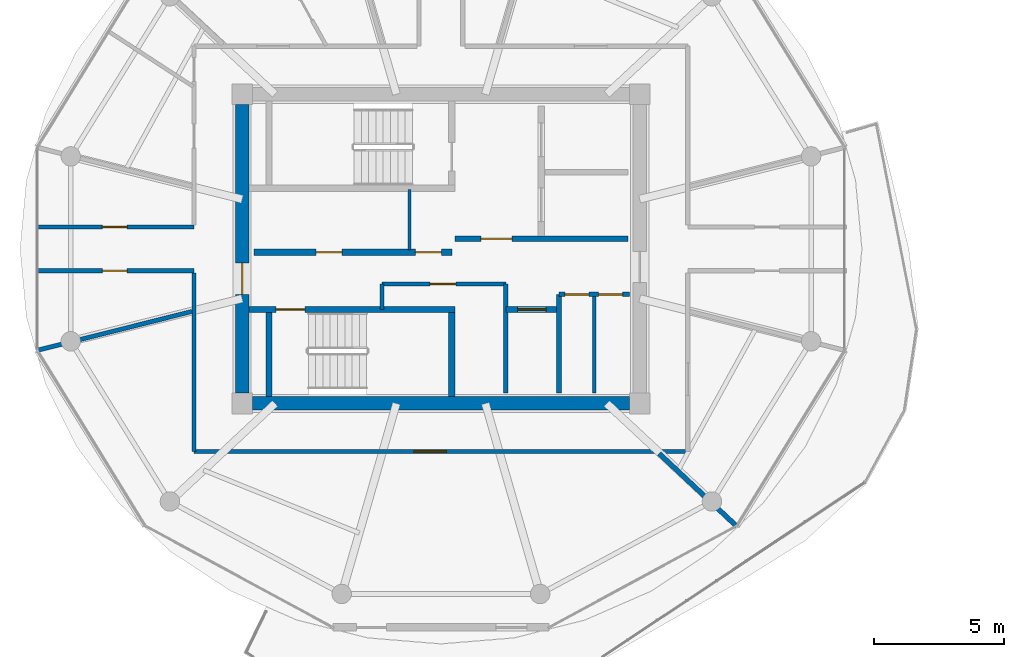
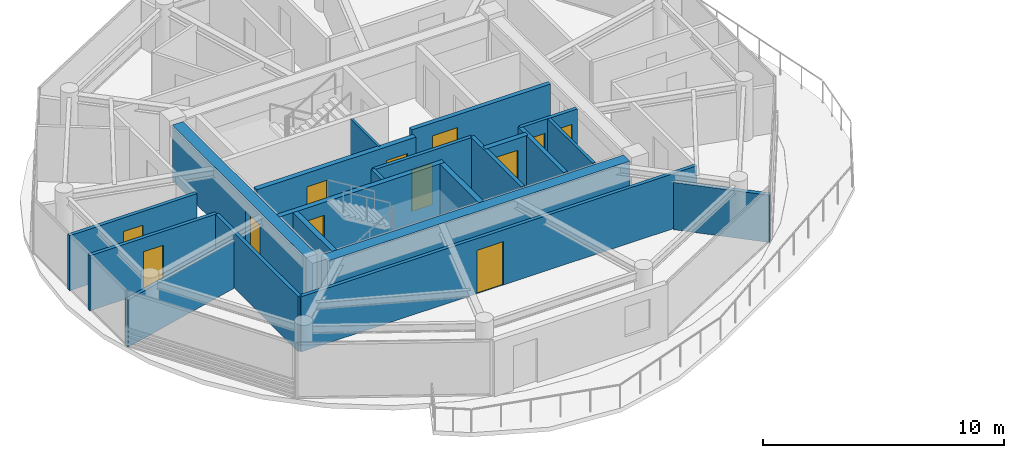
# One storey, part 9 of 19: 21 walls, 12 doors, 12 openings.
"""IFC4 building model written with IfcOpenShell, lengths in metres."""

from ifc_helpers import new_model, si_unit, direction, frame, frame_2d, origin, place, context, subcontext, project, spatial, rectangle, extrude, source, transform, mapped, material, layer, layer_set, type_object, type_shapes, element, fill, save


model = new_model("IFC4")

# Units and contexts
model_context = context("Model", 3, precision=1e-05, world=origin(), true_north=direction((0.0, 1.0)))
body_context = subcontext(model_context, "Body", "Model", "MODEL_VIEW")
ifc_project = project(units=[si_unit("LENGTHUNIT", "METRE"), si_unit("AREAUNIT", "SQUARE_METRE"), si_unit("VOLUMEUNIT", "CUBIC_METRE"), si_unit("PLANEANGLEUNIT", "RADIAN"), si_unit("MASSUNIT", "GRAM", prefix="KILO")], contexts=[model_context])

# Site, building, storey
site_placement = place(None, origin())
site = spatial("IfcSite", under=ifc_project, at=site_placement, CompositionType="ELEMENT")
building_placement = place(site_placement, origin())
building = spatial("IfcBuilding", under=site, at=building_placement, Name="Norrkilde Senior Care Towers", CompositionType="ELEMENT")
storey_placement = place(building_placement, frame((0.0, 0.0, 238.300048828125)))
storey = spatial("IfcBuildingStorey", under=building, at=storey_placement, Name="L74", CompositionType="ELEMENT", Elevation=238.300048828125)

# Wall
ifc_material_1 = material(Name="Concrete C50/60", Category="concrete")
ifc_layer_1 = layer(ifc_material_1, 0.52001953125)
ifc_layer_set_1 = layer_set([ifc_layer_1], Name="Concrete C50/60")
wall_type_1 = type_object("IfcWallType", Name="Core Shear Wall Z4 520", PredefinedType="SHEAR", material=ifc_layer_set_1)
shared_shape_1 = source(origin(), body_context, "Body", "SweptSolid", [
    extrude(rectangle(XDim=14.5, YDim=0.52001953125, at=frame_2d((7.25, 0.0))), origin(), (0.0, 0.0, 1.0), 2.81005859375),
])
wall_1_placement = place(storey_placement, frame((-20.75, -5.949951171875, 0.0), z_axis=(0.0, 0.0, 1.0), x_axis=(-1.0, 0.0, 0.0)))
element("IfcWall", 1, at=wall_1_placement, inside=storey, type_object=wall_type_1, Name="L74 Core W South Shear Wall", PredefinedType="SHEAR", context=body_context, shape_type="MappedRepresentation", body=[
    mapped(shared_shape_1, transform((0.0, 0.0, 0.0), x_axis=(1.0, 0.0, 0.0), y_axis=(0.0, 1.0, 0.0), z_axis=(0.0, 0.0, 1.0), scale=1.0)),
])

# Wall, opening, door
shared_shape_2 = source(origin(), body_context, "Body", "SweptSolid", [
    extrude(rectangle(XDim=11.10009765625, YDim=0.52001953125, at=frame_2d((5.550048828125, 0.0))), origin(), (0.0, 0.0, 1.0), 2.81005859375),
])
type_shapes(wall_type_1, [shared_shape_1, shared_shape_2])
wall_2_placement = place(storey_placement, frame((-35.64990234375, -5.550048828125, 0.0), z_axis=(0.0, 0.0, 1.0), x_axis=(0.0, 1.0, 0.0)))
wall_2 = element("IfcWall", 2, at=wall_2_placement, inside=storey, type_object=wall_type_1, Name="L74 Core W West Shear Wall", PredefinedType="SHEAR", context=body_context, shape_type="MappedRepresentation", body=[
    mapped(shared_shape_2, transform((0.0, 0.0, 0.0), x_axis=(1.0, 0.0, 0.0), y_axis=(0.0, 1.0, 0.0), z_axis=(0.0, 0.0, 1.0), scale=1.0)),
])
opening_1_placement = place(wall_2_placement, frame((3.800048828125, 0.0, 0.0)))
opening_1 = element("IfcOpeningElement", 3, at=opening_1_placement, cuts=wall_2, Name="Opening D-04", PredefinedType="OPENING", context=body_context, shape_type="SweptSolid", body=[
    extrude(rectangle(XDim=1.199951171875, YDim=2.14990234375, at=frame_2d((0.60009765625, 1.074951171875))), frame((0.0, 0.27001953125, 0.0), z_axis=(0.0, -1.0, 0.0), x_axis=(1.0, 0.0, 0.0)), (0.0, 0.0, 1.0), 0.5400390625),
])
ifc_material_2 = material(Name="Galvanised Painted Steel", Category="steel")
door_type_1 = type_object("IfcDoorType", Name="Firefighting Lobby Fire Door 1200x2150", OperationType="NOTDEFINED", PredefinedType="DOOR", material=ifc_material_2)
shared_shape_3 = source(origin(), body_context, "Body", "SweptSolid", [
    extrude(rectangle(XDim=1.199951171875, YDim=2.14990234375, at=frame_2d((0.60009765625, 1.074951171875))), frame((0.0, 0.02490234375, 0.0), z_axis=(0.0, -1.0, 0.0), x_axis=(1.0, 0.0, 0.0)), (0.0, 0.0, 1.0), 0.050048828125),
])
type_shapes(door_type_1, [shared_shape_3])
door_1_placement = place(opening_1_placement, frame((1.199951171875, 0.0, 0.0), z_axis=(0.0, 0.0, 1.0), x_axis=(-1.0, 0.0, 0.0)))
door_1 = element("IfcDoor", 4, at=door_1_placement, inside=storey, type_object=door_type_1, Name="L74 Core W West Portal Door", OperationType="SINGLE_SWING_LEFT", OverallHeight=2.14990234375, OverallWidth=1.199951171875, PredefinedType="DOOR", context=body_context, shape_type="MappedRepresentation", body=[
    mapped(shared_shape_3, transform((0.0, 0.0, 0.0), x_axis=(1.0, 0.0, 0.0), y_axis=(0.0, 1.0, 0.0), z_axis=(0.0, 0.0, 1.0), scale=1.0)),
])
fill(opening_1, door_1)

ifc_material_3 = material(Name="Concrete C45/55", Category="concrete")
ifc_layer_2 = layer(ifc_material_3, 0.2099609375)
ifc_layer_set_2 = layer_set([ifc_layer_2], Name="Concrete C45/55")
wall_type_2 = type_object("IfcWallType", Name="Firefighting Lobby Wall 210", PredefinedType="PARTITIONING", material=ifc_layer_set_2)
shared_shape_4 = source(origin(), body_context, "Body", "SweptSolid", [
    extrude(rectangle(XDim=6.659912109375, YDim=0.2099609375, at=frame_2d((3.330078125, 0.0))), origin(), (0.0, 0.0, 1.0), 2.794921875),
])
type_shapes(wall_type_2, [shared_shape_4])
wall_3_placement = place(storey_placement, frame((-27.4599609375, 0.389892578125, 0.0), z_axis=(0.0, 0.0, 1.0), x_axis=(1.0, 0.0, 0.0)))
wall_3 = element("IfcWall", 5, at=wall_3_placement, inside=storey, type_object=wall_type_2, Name="WL-INT-L74-W-FFLS", PredefinedType="PARTITIONING", context=body_context, shape_type="MappedRepresentation", body=[
    mapped(shared_shape_4, transform((0.0, 0.0, 0.0), x_axis=(1.0, 0.0, 0.0), y_axis=(0.0, 1.0, 0.0), z_axis=(0.0, 0.0, 1.0), scale=1.0)),
])
opening_2_placement = place(wall_3_placement, frame((1.0, 0.0, 0.0)))
opening_2 = element("IfcOpeningElement", 6, at=opening_2_placement, cuts=wall_3, Name="Opening D-04", PredefinedType="OPENING", context=body_context, shape_type="SweptSolid", body=[
    extrude(rectangle(XDim=1.199951171875, YDim=2.14990234375, at=frame_2d((0.60009765625, 1.074951171875))), frame((0.0, 0.114990234375, 0.0), z_axis=(0.0, -1.0, 0.0), x_axis=(1.0, 0.0, 0.0)), (0.0, 0.0, 1.0), 0.22998046875),
])
door_2_placement = place(opening_2_placement, frame((1.199951171875, 0.0, 0.0), z_axis=(0.0, 0.0, 1.0), x_axis=(-1.0, 0.0, 0.0)))
door_2 = element("IfcDoor", 7, at=door_2_placement, inside=storey, type_object=door_type_1, Name="L74 Firefighting Lobby W Door", OperationType="SINGLE_SWING_LEFT", OverallHeight=2.14990234375, OverallWidth=1.199951171875, PredefinedType="DOOR", context=body_context, shape_type="MappedRepresentation", body=[
    mapped(shared_shape_3, transform((0.0, 0.0, 0.0), x_axis=(1.0, 0.0, 0.0), y_axis=(0.0, 1.0, 0.0), z_axis=(0.0, 0.0, 1.0), scale=1.0)),
])
fill(opening_2, door_2)

# Wall, openings, doors
ifc_layer_3 = layer(ifc_material_3, 0.239990234375)
ifc_layer_set_3 = layer_set([ifc_layer_3], Name="Concrete C45/55")
wall_type_3 = type_object("IfcWallType", Name="Lift and Plant Rated Enclosure Partition 240", PredefinedType="PARTITIONING", material=ifc_layer_set_3)
shared_shape_5 = source(origin(), body_context, "Body", "SweptSolid", [
    extrude(rectangle(XDim=7.619873046875, YDim=0.239990234375, at=frame_2d((3.81005859375, 0.0))), origin(), (0.0, 0.0, 1.0), 2.794921875),
])
wall_4_placement = place(storey_placement, frame((-35.199951171875, -0.1298828125, 0.0), z_axis=(0.0, 0.0, 1.0), x_axis=(1.0, 0.0, 0.0)))
wall_4 = element("IfcWall", 8, at=wall_4_placement, inside=storey, type_object=wall_type_3, Name="WL-INT-L74-W-PKAS", PredefinedType="PARTITIONING", context=body_context, shape_type="MappedRepresentation", body=[
    mapped(shared_shape_5, transform((0.0, 0.0, 0.0), x_axis=(1.0, 0.0, 0.0), y_axis=(0.0, 1.0, 0.0), z_axis=(0.0, 0.0, 1.0), scale=1.0)),
])
opening_3_placement = place(wall_4_placement, frame((6.219970703125, 0.0, 0.0)))
opening_3 = element("IfcOpeningElement", 9, at=opening_3_placement, cuts=wall_4, Name="Opening D-10", PredefinedType="OPENING", context=body_context, shape_type="SweptSolid", body=[
    extrude(rectangle(XDim=1.0, YDim=2.10009765625, at=frame_2d((0.5, 1.050048828125))), frame((0.0, 0.1298828125, 0.0), z_axis=(0.0, -1.0, 0.0), x_axis=(1.0, 0.0, 0.0)), (0.0, 0.0, 1.0), 0.260009765625),
])
opening_4_placement = place(wall_4_placement, frame((2.39990234375, 0.0, 0.0)))
opening_4 = element("IfcOpeningElement", 10, at=opening_4_placement, cuts=wall_4, Name="Opening D-10", PredefinedType="OPENING", context=body_context, shape_type="SweptSolid", body=[
    extrude(rectangle(XDim=1.0, YDim=2.10009765625, at=frame_2d((0.5, 1.050048828125))), frame((0.0, 0.1298828125, 0.0), z_axis=(0.0, -1.0, 0.0), x_axis=(1.0, 0.0, 0.0)), (0.0, 0.0, 1.0), 0.260009765625),
])
door_type_2 = type_object("IfcDoorType", Name="Plant and Riser Rated Door 1000x2100", OperationType="NOTDEFINED", PredefinedType="DOOR", material=ifc_material_2)
shared_shape_6 = source(origin(), body_context, "Body", "SweptSolid", [
    extrude(rectangle(XDim=1.0, YDim=2.10009765625, at=frame_2d((0.5, 1.050048828125))), frame((0.0, 0.02490234375, 0.0), z_axis=(0.0, -1.0, 0.0), x_axis=(1.0, 0.0, 0.0)), (0.0, 0.0, 1.0), 0.050048828125),
])
type_shapes(door_type_2, [shared_shape_6])
door_3_placement = place(opening_3_placement, frame((1.0, 0.0, 0.0), z_axis=(0.0, 0.0, 1.0), x_axis=(-1.0, 0.0, 0.0)))
door_3 = element("IfcDoor", 11, at=door_3_placement, inside=storey, type_object=door_type_2, Name="L74 Electrical Riser W Door", OperationType="SINGLE_SWING_LEFT", OverallHeight=2.10009765625, OverallWidth=1.0, PredefinedType="DOOR", context=body_context, shape_type="MappedRepresentation", body=[
    mapped(shared_shape_6, transform((0.0, 0.0, 0.0), x_axis=(1.0, 0.0, 0.0), y_axis=(0.0, 1.0, 0.0), z_axis=(0.0, 0.0, 1.0), scale=1.0)),
])
fill(opening_3, door_3)
door_4_placement = place(opening_4_placement, frame((1.0, 0.0, 0.0), z_axis=(0.0, 0.0, 1.0), x_axis=(-1.0, 0.0, 0.0)))
door_4 = element("IfcDoor", 12, at=door_4_placement, inside=storey, type_object=door_type_2, Name="L74 Clean Supply Store W Door", OperationType="SINGLE_SWING_LEFT", OverallHeight=2.10009765625, OverallWidth=1.0, PredefinedType="DOOR", context=body_context, shape_type="MappedRepresentation", body=[
    mapped(shared_shape_6, transform((0.0, 0.0, 0.0), x_axis=(1.0, 0.0, 0.0), y_axis=(0.0, 1.0, 0.0), z_axis=(0.0, 0.0, 1.0), scale=1.0)),
])
fill(opening_4, door_4)

# Walls
ifc_material_4 = material(Name="Gypsum Acoustic Board")
ifc_layer_4 = layer(ifc_material_4, 0.114990234375)
ifc_layer_set_4 = layer_set([ifc_layer_4], Name="Gypsum Acoustic Board")
wall_type_4 = type_object("IfcWallType", Name="Internal Room Partition 115", PredefinedType="PARTITIONING", material=ifc_layer_set_4)
shared_shape_7 = source(origin(), body_context, "Body", "SweptSolid", [
    extrude(rectangle(XDim=2.330078125, YDim=0.114990234375, at=frame_2d((1.1650390625, 0.0))), origin(), (0.0, 0.0, 1.0), 2.794921875),
])
type_shapes(wall_type_4, [shared_shape_7])
wall_5_placement = place(storey_placement, frame((-29.2099609375, -0.050048828125, 0.0), z_axis=(0.0, 0.0, 1.0), x_axis=(0.0, 1.0, 0.0)))
element("IfcWall", 13, at=wall_5_placement, inside=storey, type_object=wall_type_4, Name="WL-INT-L74-W-RISW", PredefinedType="PARTITIONING", context=body_context, shape_type="MappedRepresentation", body=[
    mapped(shared_shape_7, transform((0.0, 0.0, 0.0), x_axis=(1.0, 0.0, 0.0), y_axis=(0.0, 1.0, 0.0), z_axis=(0.0, 0.0, 1.0), scale=1.0)),
])
ifc_layer_5 = layer(ifc_material_3, 0.199951171875)
ifc_layer_set_5 = layer_set([ifc_layer_5], Name="Concrete C45/55")
wall_type_5 = type_object("IfcWallType", Name="Shaft Division and Plant Partition 200", PredefinedType="PARTITIONING", material=ifc_layer_set_5)
shared_shape_8 = source(origin(), body_context, "Body", "SweptSolid", [
    extrude(rectangle(XDim=3.800048828125, YDim=0.199951171875, at=frame_2d((1.89990234375, 0.0))), origin(), (0.0, 0.0, 1.0), 2.794921875),
])
type_shapes(wall_type_5, [shared_shape_8])
wall_6_placement = place(storey_placement, frame((-23.449951171875, -5.550048828125, 0.0), z_axis=(0.0, 0.0, 1.0), x_axis=(0.0, 1.0, 0.0)))
element("IfcWall", 14, at=wall_6_placement, inside=storey, type_object=wall_type_5, Name="WL-INT-L74-W-PKBE", PredefinedType="PARTITIONING", context=body_context, shape_type="MappedRepresentation", body=[
    mapped(shared_shape_8, transform((0.0, 0.0, 0.0), x_axis=(1.0, 0.0, 0.0), y_axis=(0.0, 1.0, 0.0), z_axis=(0.0, 0.0, 1.0), scale=1.0)),
])

# Wall, openings, doors
ifc_layer_6 = layer(ifc_material_4, 0.1650390625)
ifc_layer_set_6 = layer_set([ifc_layer_6], Name="Gypsum Acoustic Board")
wall_type_6 = type_object("IfcWallType", Name="Corridor Rated Partition 165", PredefinedType="PARTITIONING", material=ifc_layer_set_6)
shared_shape_9 = source(origin(), body_context, "Body", "SweptSolid", [
    extrude(rectangle(XDim=2.699951171875, YDim=0.1650390625, at=frame_2d((1.35009765625, 0.0))), origin(), (0.0, 0.0, 1.0), 2.794921875),
])
wall_7_placement = place(storey_placement, frame((-23.449951171875, -1.75, 0.0), z_axis=(0.0, 0.0, 1.0), x_axis=(1.0, 0.0, 0.0)))
wall_7 = element("IfcWall", 15, at=wall_7_placement, inside=storey, type_object=wall_type_6, Name="WL-INT-L74-W-CSN", PredefinedType="PARTITIONING", context=body_context, shape_type="MappedRepresentation", body=[
    mapped(shared_shape_9, transform((0.0, 0.0, 0.0), x_axis=(1.0, 0.0, 0.0), y_axis=(0.0, 1.0, 0.0), z_axis=(0.0, 0.0, 1.0), scale=1.0)),
])
opening_5_placement = place(wall_7_placement, frame((0.222412109375, 0.0, 0.0)))
opening_5 = element("IfcOpeningElement", 16, at=opening_5_placement, cuts=wall_7, Name="Opening D-12", PredefinedType="OPENING", context=body_context, shape_type="SweptSolid", body=[
    extrude(rectangle(XDim=0.925048828125, YDim=2.10009765625, at=frame_2d((0.46240234375, 1.050048828125))), frame((0.0, 0.092529296875, 0.0), z_axis=(0.0, -1.0, 0.0), x_axis=(1.0, 0.0, 0.0)), (0.0, 0.0, 1.0), 0.18505859375),
])
opening_6_placement = place(wall_7_placement, frame((1.5224609375, 0.0, 0.0)))
opening_6 = element("IfcOpeningElement", 17, at=opening_6_placement, cuts=wall_7, Name="Opening D-12", PredefinedType="OPENING", context=body_context, shape_type="SweptSolid", body=[
    extrude(rectangle(XDim=0.925048828125, YDim=2.10009765625, at=frame_2d((0.46240234375, 1.050048828125))), frame((0.0, 0.092529296875, 0.0), z_axis=(0.0, -1.0, 0.0), x_axis=(1.0, 0.0, 0.0)), (0.0, 0.0, 1.0), 0.18505859375),
])
door_type_3 = type_object("IfcDoorType", Name="Core Wet Room Rated Door 925x2100", OperationType="NOTDEFINED", PredefinedType="DOOR", material=ifc_material_2)
shared_shape_10 = source(origin(), body_context, "Body", "SweptSolid", [
    extrude(rectangle(XDim=0.925048828125, YDim=2.10009765625, at=frame_2d((0.46240234375, 1.050048828125))), frame((0.0, 0.02490234375, 0.0), z_axis=(0.0, -1.0, 0.0), x_axis=(1.0, 0.0, 0.0)), (0.0, 0.0, 1.0), 0.050048828125),
])
type_shapes(door_type_3, [shared_shape_10])
door_5_placement = place(opening_5_placement, origin())
door_5 = element("IfcDoor", 18, at=door_5_placement, inside=storey, type_object=door_type_3, Name="L74 Staff Accessible WC W Door", OperationType="SINGLE_SWING_LEFT", OverallHeight=2.10009765625, OverallWidth=0.925048828125, PredefinedType="DOOR", context=body_context, shape_type="MappedRepresentation", body=[
    mapped(shared_shape_10, transform((0.0, 0.0, 0.0), x_axis=(1.0, 0.0, 0.0), y_axis=(0.0, 1.0, 0.0), z_axis=(0.0, 0.0, 1.0), scale=1.0)),
])
fill(opening_5, door_5)
door_6_placement = place(opening_6_placement, origin())
door_6 = element("IfcDoor", 19, at=door_6_placement, inside=storey, type_object=door_type_3, Name="L74 Housekeeping Store W Door", OperationType="SINGLE_SWING_RIGHT", OverallHeight=2.10009765625, OverallWidth=0.925048828125, PredefinedType="DOOR", context=body_context, shape_type="MappedRepresentation", body=[
    mapped(shared_shape_10, transform((0.0, 0.0, 0.0), x_axis=(1.0, 0.0, 0.0), y_axis=(0.0, 1.0, 0.0), z_axis=(0.0, 0.0, 1.0), scale=1.0)),
])
fill(opening_6, door_6)

# Wall
ifc_layer_7 = layer(ifc_material_4, 0.139892578125)
ifc_layer_set_7 = layer_set([ifc_layer_7], Name="Gypsum Acoustic Board")
wall_type_7 = type_object("IfcWallType", Name="En-suite Wet Room Wall 140", PredefinedType="PARTITIONING", material=ifc_layer_set_7)
shared_shape_11 = source(origin(), body_context, "Body", "SweptSolid", [
    extrude(rectangle(XDim=3.800048828125, YDim=0.139892578125, at=frame_2d((1.89990234375, 0.0))), origin(), (0.0, 0.0, 1.0), 2.794921875),
])
type_shapes(wall_type_7, [shared_shape_11])
wall_8_placement = place(storey_placement, frame((-22.10009765625, -5.550048828125, 0.0), z_axis=(0.0, 0.0, 1.0), x_axis=(0.0, 1.0, 0.0)))
element("IfcWall", 20, at=wall_8_placement, inside=storey, type_object=wall_type_7, Name="WL-INT-L74-W-CS1V", PredefinedType="PARTITIONING", context=body_context, shape_type="MappedRepresentation", body=[
    mapped(shared_shape_11, transform((0.0, 0.0, 0.0), x_axis=(1.0, 0.0, 0.0), y_axis=(0.0, 1.0, 0.0), z_axis=(0.0, 0.0, 1.0), scale=1.0)),
])

# Wall, opening, door
shared_shape_12 = source(origin(), body_context, "Body", "SweptSolid", [
    extrude(rectangle(XDim=2.050048828125, YDim=0.239990234375, at=frame_2d((1.02490234375, 0.0))), origin(), (0.0, 0.0, 1.0), 2.794921875),
])
type_shapes(wall_type_3, [shared_shape_5, shared_shape_12])
wall_9_placement = place(storey_placement, frame((-25.5, -2.330078125, 0.0), z_axis=(0.0, 0.0, 1.0), x_axis=(1.0, 0.0, 0.0)))
wall_9 = element("IfcWall", 21, at=wall_9_placement, inside=storey, type_object=wall_type_3, Name="WL-INT-L74-W-PL4N", PredefinedType="PARTITIONING", context=body_context, shape_type="MappedRepresentation", body=[
    mapped(shared_shape_12, transform((0.0, 0.0, 0.0), x_axis=(1.0, 0.0, 0.0), y_axis=(0.0, 1.0, 0.0), z_axis=(0.0, 0.0, 1.0), scale=1.0)),
])
opening_7_placement = place(wall_9_placement, frame((0.449951171875, 0.0, 0.0)))
opening_7 = element("IfcOpeningElement", 22, at=opening_7_placement, cuts=wall_9, Name="Opening LD-01", PredefinedType="OPENING", context=body_context, shape_type="SweptSolid", body=[
    extrude(rectangle(XDim=1.10009765625, YDim=2.199951171875, at=frame_2d((0.550048828125, 1.10009765625))), frame((0.0, 0.1298828125, 0.0), z_axis=(0.0, -1.0, 0.0), x_axis=(1.0, 0.0, 0.0)), (0.0, 0.0, 1.0), 0.260009765625),
])
ifc_material_5 = material(Name="Stainless Steel", Category="steel")
door_type_4 = type_object("IfcDoorType", Name="Lift Landing Sliding Door 1100x2200", OperationType="NOTDEFINED", PredefinedType="DOOR", material=ifc_material_5)
shared_shape_13 = source(origin(), body_context, "Body", "SweptSolid", [
    extrude(rectangle(XDim=1.10009765625, YDim=2.199951171875, at=frame_2d((0.550048828125, 1.10009765625))), frame((0.0, 0.02490234375, 0.0), z_axis=(0.0, -1.0, 0.0), x_axis=(1.0, 0.0, 0.0)), (0.0, 0.0, 1.0), 0.050048828125),
])
type_shapes(door_type_4, [shared_shape_13])
door_7_placement = place(opening_7_placement, frame((1.10009765625, 0.0, 0.0), z_axis=(0.0, 0.0, 1.0), x_axis=(-1.0, 0.0, 0.0)))
door_7 = element("IfcDoor", 23, at=door_7_placement, inside=storey, type_object=door_type_4, Name="L74 Passenger Lift W4 Landing Door", OperationType="SLIDING_TO_RIGHT", OverallHeight=2.199951171875, OverallWidth=1.10009765625, PredefinedType="DOOR", context=body_context, shape_type="MappedRepresentation", body=[
    mapped(shared_shape_13, transform((0.0, 0.0, 0.0), x_axis=(1.0, 0.0, 0.0), y_axis=(0.0, 1.0, 0.0), z_axis=(0.0, 0.0, 1.0), scale=1.0)),
])
fill(opening_7, door_7)

# Wall
ifc_layer_8 = layer(ifc_material_3, 0.179931640625)
ifc_layer_set_8 = layer_set([ifc_layer_8], Name="Concrete C45/55")
wall_type_8 = type_object("IfcWallType", Name="Hoistway Division Rated Partition 180", PredefinedType="PARTITIONING", material=ifc_layer_set_8)
shared_shape_14 = source(origin(), body_context, "Body", "SweptSolid", [
    extrude(rectangle(XDim=4.199951171875, YDim=0.179931640625, at=frame_2d((2.10009765625, 0.0))), origin(), (0.0, 0.0, 1.0), 2.794921875),
])
type_shapes(wall_type_8, [shared_shape_14])
wall_10_placement = place(storey_placement, frame((-25.5, -5.550048828125, 0.0), z_axis=(0.0, 0.0, 1.0), x_axis=(0.0, 1.0, 0.0)))
element("IfcWall", 24, at=wall_10_placement, inside=storey, type_object=wall_type_8, Name="WL-INT-L74-W-PL4W", PredefinedType="PARTITIONING", context=body_context, shape_type="MappedRepresentation", body=[
    mapped(shared_shape_14, transform((0.0, 0.0, 0.0), x_axis=(1.0, 0.0, 0.0), y_axis=(0.0, 1.0, 0.0), z_axis=(0.0, 0.0, 1.0), scale=1.0)),
])

# Wall, opening, door
shared_shape_15 = source(origin(), body_context, "Body", "SweptSolid", [
    extrude(rectangle(XDim=4.77001953125, YDim=0.1650390625, at=frame_2d((2.385009765625, 0.0))), origin(), (0.0, 0.0, 1.0), 2.794921875),
])
wall_11_placement = place(storey_placement, frame((-30.27001953125, -1.35009765625, 0.0), z_axis=(0.0, 0.0, 1.0), x_axis=(1.0, 0.0, 0.0)))
wall_11 = element("IfcWall", 25, at=wall_11_placement, inside=storey, type_object=wall_type_6, Name="WL-INT-L74-W-FR2N", PredefinedType="PARTITIONING", context=body_context, shape_type="MappedRepresentation", body=[
    mapped(shared_shape_15, transform((0.0, 0.0, 0.0), x_axis=(1.0, 0.0, 0.0), y_axis=(0.0, 1.0, 0.0), z_axis=(0.0, 0.0, 1.0), scale=1.0)),
])
opening_8_placement = place(wall_11_placement, frame((1.85009765625, 0.0, 0.0)))
opening_8 = element("IfcOpeningElement", 26, at=opening_8_placement, cuts=wall_11, Name="Opening D-10", PredefinedType="OPENING", context=body_context, shape_type="SweptSolid", body=[
    extrude(rectangle(XDim=1.0, YDim=2.10009765625, at=frame_2d((0.5, 1.050048828125))), frame((0.0, 0.092529296875, 0.0), z_axis=(0.0, -1.0, 0.0), x_axis=(1.0, 0.0, 0.0)), (0.0, 0.0, 1.0), 0.18505859375),
])
door_8_placement = place(opening_8_placement, origin())
door_8 = element("IfcDoor", 27, at=door_8_placement, inside=storey, type_object=door_type_2, Name="L74 Core Pantry W Door", OperationType="SINGLE_SWING_RIGHT", OverallHeight=2.10009765625, OverallWidth=1.0, PredefinedType="DOOR", context=body_context, shape_type="MappedRepresentation", body=[
    mapped(shared_shape_6, transform((0.0, 0.0, 0.0), x_axis=(1.0, 0.0, 0.0), y_axis=(0.0, 1.0, 0.0), z_axis=(0.0, 0.0, 1.0), scale=1.0)),
])
fill(opening_8, door_8)

# Wall
shared_shape_16 = source(origin(), body_context, "Body", "SweptSolid", [
    extrude(rectangle(XDim=0.97998046875, YDim=0.1650390625, at=frame_2d((0.489990234375, 0.0))), origin(), (0.0, 0.0, 1.0), 2.794921875),
])
wall_12_placement = place(storey_placement, frame((-30.27001953125, -2.330078125, 0.0), z_axis=(0.0, 0.0, 1.0), x_axis=(0.0, 1.0, 0.0)))
element("IfcWall", 28, at=wall_12_placement, inside=storey, type_object=wall_type_6, Name="WL-INT-L74-W-FR2W", PredefinedType="PARTITIONING", context=body_context, shape_type="MappedRepresentation", body=[
    mapped(shared_shape_16, transform((0.0, 0.0, 0.0), x_axis=(1.0, 0.0, 0.0), y_axis=(0.0, 1.0, 0.0), z_axis=(0.0, 0.0, 1.0), scale=1.0)),
])

# Wall, opening, door
shared_shape_17 = source(origin(), body_context, "Body", "SweptSolid", [
    extrude(rectangle(XDim=19.0, YDim=0.1650390625, at=frame_2d((9.5, 0.0))), origin(), (0.0, 0.0, 1.0), 2.794921875),
])
wall_13_placement = place(storey_placement, frame((-18.5, -7.800048828125, 0.0), z_axis=(0.0, 0.0, 1.0), x_axis=(-1.0, 0.0, 0.0)))
wall_13 = element("IfcWall", 29, at=wall_13_placement, inside=storey, type_object=wall_type_6, Name="WL-INT-L74-W-CRW-S-0", PredefinedType="PARTITIONING", context=body_context, shape_type="MappedRepresentation", body=[
    mapped(shared_shape_17, transform((0.0, 0.0, 0.0), x_axis=(1.0, 0.0, 0.0), y_axis=(0.0, 1.0, 0.0), z_axis=(0.0, 0.0, 1.0), scale=1.0)),
])
opening_9_placement = place(wall_13_placement, frame((9.292236328125, 0.0, 0.0)))
opening_9 = element("IfcOpeningElement", 30, at=opening_9_placement, cuts=wall_13, Name="Opening D-05", PredefinedType="OPENING", context=body_context, shape_type="SweptSolid", body=[
    extrude(rectangle(XDim=1.25, YDim=2.199951171875, at=frame_2d((0.625, 1.10009765625))), frame((0.0, 0.092529296875, 0.0), z_axis=(0.0, -1.0, 0.0), x_axis=(1.0, 0.0, 0.0)), (0.0, 0.0, 1.0), 0.18505859375),
])
ifc_material_6 = material(Name="Nordic Ash Timber", Category="wood")
door_type_5 = type_object("IfcDoorType", Name="Care Bedroom Bariatric Door 1250x2200", OperationType="NOTDEFINED", PredefinedType="DOOR", material=ifc_material_6)
shared_shape_18 = source(origin(), body_context, "Body", "SweptSolid", [
    extrude(rectangle(XDim=1.25, YDim=2.199951171875, at=frame_2d((0.625, 1.10009765625))), frame((0.0, 0.02490234375, 0.0), z_axis=(0.0, -1.0, 0.0), x_axis=(1.0, 0.0, 0.0)), (0.0, 0.0, 1.0), 0.050048828125),
])
type_shapes(door_type_5, [shared_shape_18])
door_9_placement = place(opening_9_placement, frame((1.25, 0.0, 0.0), z_axis=(0.0, 0.0, 1.0), x_axis=(-1.0, 0.0, 0.0)))
door_9 = element("IfcDoor", 31, at=door_9_placement, inside=storey, type_object=door_type_5, Name="L74 Household Communal Dining Salon Door", OperationType="SINGLE_SWING_LEFT", OverallHeight=2.199951171875, OverallWidth=1.25, PredefinedType="DOOR", context=body_context, shape_type="MappedRepresentation", body=[
    mapped(shared_shape_18, transform((0.0, 0.0, 0.0), x_axis=(1.0, 0.0, 0.0), y_axis=(0.0, 1.0, 0.0), z_axis=(0.0, 0.0, 1.0), scale=1.0)),
])
fill(opening_9, door_9)

# Wall
shared_shape_19 = source(origin(), body_context, "Body", "SweptSolid", [
    extrude(rectangle(XDim=6.880126953125, YDim=0.1650390625, at=frame_2d((3.43994140625, 0.0))), origin(), (0.0, 0.0, 1.0), 2.794921875),
])
wall_14_placement = place(storey_placement, frame((-37.5, -7.800048828125, 0.0), z_axis=(0.0, 0.0, 1.0), x_axis=(0.0, 1.0, 0.0)))
element("IfcWall", 32, at=wall_14_placement, inside=storey, type_object=wall_type_6, Name="WL-INT-L74-W-CRW-W-0", PredefinedType="PARTITIONING", context=body_context, shape_type="MappedRepresentation", body=[
    mapped(shared_shape_19, transform((0.0, 0.0, 0.0), x_axis=(1.0, 0.0, 0.0), y_axis=(0.0, 1.0, 0.0), z_axis=(0.0, 0.0, 1.0), scale=1.0)),
])

# Wall, opening, door
ifc_layer_9 = layer(ifc_material_3, 0.239990234375)
ifc_layer_set_9 = layer_set([ifc_layer_9], Name="Concrete C45/55")
wall_type_9 = type_object("IfcWallType", Name="Shaft and Stair Enclosure Wall 240", PredefinedType="PARTITIONING", material=ifc_layer_set_9)
shared_shape_20 = source(origin(), body_context, "Body", "SweptSolid", [
    extrude(rectangle(XDim=7.929931640625, YDim=0.239990234375, at=frame_2d((3.96484375, 0.0))), origin(), (0.0, 0.0, 1.0), 2.81005859375),
])
wall_15_placement = place(storey_placement, frame((-35.389892578125, -2.330078125, 0.0), z_axis=(0.0, 0.0, 1.0), x_axis=(1.0, 0.0, 0.0)))
wall_15 = element("IfcWall", 33, at=wall_15_placement, inside=storey, type_object=wall_type_9, Name="WL-INT-L74-W-ST2N", PredefinedType="PARTITIONING", context=body_context, shape_type="MappedRepresentation", body=[
    mapped(shared_shape_20, transform((0.0, 0.0, 0.0), x_axis=(1.0, 0.0, 0.0), y_axis=(0.0, 1.0, 0.0), z_axis=(0.0, 0.0, 1.0), scale=1.0)),
])
opening_10_placement = place(wall_15_placement, frame((1.050048828125, 0.0, 0.0)))
opening_10 = element("IfcOpeningElement", 34, at=opening_10_placement, cuts=wall_15, Name="Opening D-03", PredefinedType="OPENING", context=body_context, shape_type="SweptSolid", body=[
    extrude(rectangle(XDim=1.10009765625, YDim=2.14990234375, at=frame_2d((0.550048828125, 1.074951171875))), frame((0.0, 0.1298828125, 0.0), z_axis=(0.0, -1.0, 0.0), x_axis=(1.0, 0.0, 0.0)), (0.0, 0.0, 1.0), 0.260009765625),
])
door_type_6 = type_object("IfcDoorType", Name="Stairwell Protected Fire Door 1100x2150", OperationType="NOTDEFINED", PredefinedType="DOOR", material=ifc_material_2)
shared_shape_21 = source(origin(), body_context, "Body", "SweptSolid", [
    extrude(rectangle(XDim=1.10009765625, YDim=2.14990234375, at=frame_2d((0.550048828125, 1.074951171875))), frame((0.0, 0.02490234375, 0.0), z_axis=(0.0, -1.0, 0.0), x_axis=(1.0, 0.0, 0.0)), (0.0, 0.0, 1.0), 0.050048828125),
])
type_shapes(door_type_6, [shared_shape_21])
door_10_placement = place(opening_10_placement, frame((1.10009765625, 0.0, 0.0), z_axis=(0.0, 0.0, 1.0), x_axis=(-1.0, 0.0, 0.0)))
door_10 = element("IfcDoor", 35, at=door_10_placement, inside=storey, type_object=door_type_6, Name="L74 Stair W2 Fire Door", OperationType="SINGLE_SWING_RIGHT", OverallHeight=2.14990234375, OverallWidth=1.10009765625, PredefinedType="DOOR", context=body_context, shape_type="MappedRepresentation", body=[
    mapped(shared_shape_21, transform((0.0, 0.0, 0.0), x_axis=(1.0, 0.0, 0.0), y_axis=(0.0, 1.0, 0.0), z_axis=(0.0, 0.0, 1.0), scale=1.0)),
])
fill(opening_10, door_10)

# Walls
shared_shape_22 = source(origin(), body_context, "Body", "SweptSolid", [
    extrude(rectangle(XDim=3.239990234375, YDim=0.239990234375, at=frame_2d((1.6201171875, 0.0))), origin(), (0.0, 0.0, 1.0), 2.81005859375),
])
type_shapes(wall_type_9, [shared_shape_20, shared_shape_22])
for number, where, z_axis, x_axis, name in (
    (36, (-34.6201171875, -5.68994140625, 0.0), (0.0, 0.0, 1.0), (0.0, 1.0, 0.0), "WL-INT-L74-W-ST2W"),
    (37, (-27.580078125, -5.68994140625, 0.0), (0.0, 0.0, 1.0), (0.0, 1.0, 0.0), "WL-INT-L74-W-ST2E"),
):
    element("IfcWall", number, at=place(storey_placement, frame(where, z_axis=z_axis, x_axis=x_axis)), inside=storey, type_object=wall_type_9, Name=name, PredefinedType="PARTITIONING", context=body_context, shape_type="MappedRepresentation", body=[
        mapped(shared_shape_22, transform((0.0, 0.0, 0.0), x_axis=(1.0, 0.0, 0.0), y_axis=(0.0, 1.0, 0.0), z_axis=(0.0, 0.0, 1.0), scale=1.0)),
    ])
shared_shape_23 = source(origin(), body_context, "Body", "SweptSolid", [
    extrude(rectangle(XDim=6.1572265625, YDim=0.1650390625, at=frame_2d((3.07861328125, 0.0))), origin(), (0.0, 0.0, 1.0), 2.39501953125),
])
wall_16_placement = place(storey_placement, frame((-37.580078125, -2.407470703125, 0.0), z_axis=(0.0, 0.0, 1.0), x_axis=(-0.969840867184, -0.243738984038, 0.0)))
element("IfcWall", 38, at=wall_16_placement, inside=storey, type_object=wall_type_6, Name="WL-INT-L74-W-DEM-06-0", PredefinedType="PARTITIONING", context=body_context, shape_type="MappedRepresentation", body=[
    mapped(shared_shape_23, transform((0.0, 0.0, 0.0), x_axis=(1.0, 0.0, 0.0), y_axis=(0.0, 1.0, 0.0), z_axis=(0.0, 0.0, 1.0), scale=1.0)),
])
ifc_layer_10 = layer(ifc_material_4, 0.18994140625)
ifc_layer_set_10 = layer_set([ifc_layer_10], Name="Gypsum Acoustic Board")
wall_type_10 = type_object("IfcWallType", Name="Unit Demising Acoustic Wall 190", PredefinedType="PARTITIONING", material=ifc_layer_set_10)
shared_shape_24 = source(origin(), body_context, "Body", "SweptSolid", [
    extrude(rectangle(XDim=4.089111328125, YDim=0.18994140625, at=frame_2d((2.04443359375, 0.0))), origin(), (0.0, 0.0, 1.0), 2.39501953125),
])
type_shapes(wall_type_10, [shared_shape_24])
wall_17_placement = place(storey_placement, frame((-19.59814453125, -7.8798828125, 0.0), z_axis=(0.0, 0.0, 1.0), x_axis=(0.729401273609, -0.684086092577, 0.0)))
element("IfcWall", 39, at=wall_17_placement, inside=storey, type_object=wall_type_10, Name="WL-INT-L74-W-DEM-10-0", PredefinedType="PARTITIONING", context=body_context, shape_type="MappedRepresentation", body=[
    mapped(shared_shape_24, transform((0.0, 0.0, 0.0), x_axis=(1.0, 0.0, 0.0), y_axis=(0.0, 1.0, 0.0), z_axis=(0.0, 0.0, 1.0), scale=1.0)),
])

# Wall, opening, door
shared_shape_25 = source(origin(), body_context, "Body", "SweptSolid", [
    extrude(rectangle(XDim=6.101318359375, YDim=0.1650390625, at=frame_2d((3.05078125, 0.0))), origin(), (0.0, 0.0, 1.0), 2.794921875),
])
type_shapes(wall_type_6, [shared_shape_9, shared_shape_15, shared_shape_16, shared_shape_17, shared_shape_19, shared_shape_23, shared_shape_25])
wall_18_placement = place(storey_placement, frame((-43.601318359375, 0.840087890625, 0.0), z_axis=(0.0, 0.0, 1.0), x_axis=(1.0, 0.0, 0.0)))
wall_18 = element("IfcWall", 40, at=wall_18_placement, inside=storey, type_object=wall_type_6, Name="WL-INT-L74-W-SPK-W1-0", PredefinedType="PARTITIONING", context=body_context, shape_type="MappedRepresentation", body=[
    mapped(shared_shape_25, transform((0.0, 0.0, 0.0), x_axis=(1.0, 0.0, 0.0), y_axis=(0.0, 1.0, 0.0), z_axis=(0.0, 0.0, 1.0), scale=1.0)),
])
opening_11_placement = place(wall_18_placement, frame((2.57568359375, 0.0, 0.0)))
opening_11 = element("IfcOpeningElement", 41, at=opening_11_placement, cuts=wall_18, Name="Opening D-07", PredefinedType="OPENING", context=body_context, shape_type="SweptSolid", body=[
    extrude(rectangle(XDim=0.949951171875, YDim=2.10009765625, at=frame_2d((0.47509765625, 1.050048828125))), frame((0.0, 0.092529296875, 0.0), z_axis=(0.0, -1.0, 0.0), x_axis=(1.0, 0.0, 0.0)), (0.0, 0.0, 1.0), 0.18505859375),
])
door_type_7 = type_object("IfcDoorType", Name="Internal Suite Bedroom Door 950x2100", OperationType="NOTDEFINED", PredefinedType="DOOR", material=ifc_material_6)
shared_shape_26 = source(origin(), body_context, "Body", "SweptSolid", [
    extrude(rectangle(XDim=0.949951171875, YDim=2.10009765625, at=frame_2d((0.47509765625, 1.050048828125))), frame((0.0, 0.02490234375, 0.0), z_axis=(0.0, -1.0, 0.0), x_axis=(1.0, 0.0, 0.0)), (0.0, 0.0, 1.0), 0.050048828125),
])
type_shapes(door_type_7, [shared_shape_26])
door_11_placement = place(opening_11_placement, frame((0.949951171875, 0.0, 0.0), z_axis=(0.0, 0.0, 1.0), x_axis=(-1.0, 0.0, 0.0)))
door_11 = element("IfcDoor", 42, at=door_11_placement, inside=storey, type_object=door_type_7, Name="L74 Sun Reading Lounge 2 Door", OperationType="SINGLE_SWING_LEFT", OverallHeight=2.10009765625, OverallWidth=0.949951171875, PredefinedType="DOOR", context=body_context, shape_type="MappedRepresentation", body=[
    mapped(shared_shape_26, transform((0.0, 0.0, 0.0), x_axis=(1.0, 0.0, 0.0), y_axis=(0.0, 1.0, 0.0), z_axis=(0.0, 0.0, 1.0), scale=1.0)),
])
fill(opening_11, door_11)

wall_19_placement = place(storey_placement, frame((-37.5, -0.840087890625, 0.0), z_axis=(0.0, 0.0, 1.0), x_axis=(-1.0, 0.0, 0.0)))
wall_19 = element("IfcWall", 43, at=wall_19_placement, inside=storey, type_object=wall_type_6, Name="WL-INT-L74-W-SPK-W2-0", PredefinedType="PARTITIONING", context=body_context, shape_type="MappedRepresentation", body=[
    mapped(shared_shape_25, transform((0.0, 0.0, 0.0), x_axis=(1.0, 0.0, 0.0), y_axis=(0.0, 1.0, 0.0), z_axis=(0.0, 0.0, 1.0), scale=1.0)),
])
opening_12_placement = place(wall_19_placement, frame((2.57568359375, 0.0, 0.0)))
opening_12 = element("IfcOpeningElement", 44, at=opening_12_placement, cuts=wall_19, Name="Opening D-07", PredefinedType="OPENING", context=body_context, shape_type="SweptSolid", body=[
    extrude(rectangle(XDim=0.949951171875, YDim=2.10009765625, at=frame_2d((0.47509765625, 1.050048828125))), frame((0.0, 0.092529296875, 0.0), z_axis=(0.0, -1.0, 0.0), x_axis=(1.0, 0.0, 0.0)), (0.0, 0.0, 1.0), 0.18505859375),
])
door_12_placement = place(opening_12_placement, frame((0.949951171875, 0.0, 0.0), z_axis=(0.0, 0.0, 1.0), x_axis=(-1.0, 0.0, 0.0)))
door_12 = element("IfcDoor", 45, at=door_12_placement, inside=storey, type_object=door_type_7, Name="L74 Sun Reading Lounge 1 Door", OperationType="SINGLE_SWING_RIGHT", OverallHeight=2.10009765625, OverallWidth=0.949951171875, PredefinedType="DOOR", context=body_context, shape_type="MappedRepresentation", body=[
    mapped(shared_shape_26, transform((0.0, 0.0, 0.0), x_axis=(1.0, 0.0, 0.0), y_axis=(0.0, 1.0, 0.0), z_axis=(0.0, 0.0, 1.0), scale=1.0)),
])
fill(opening_12, door_12)

save(model, "model.ifc")
